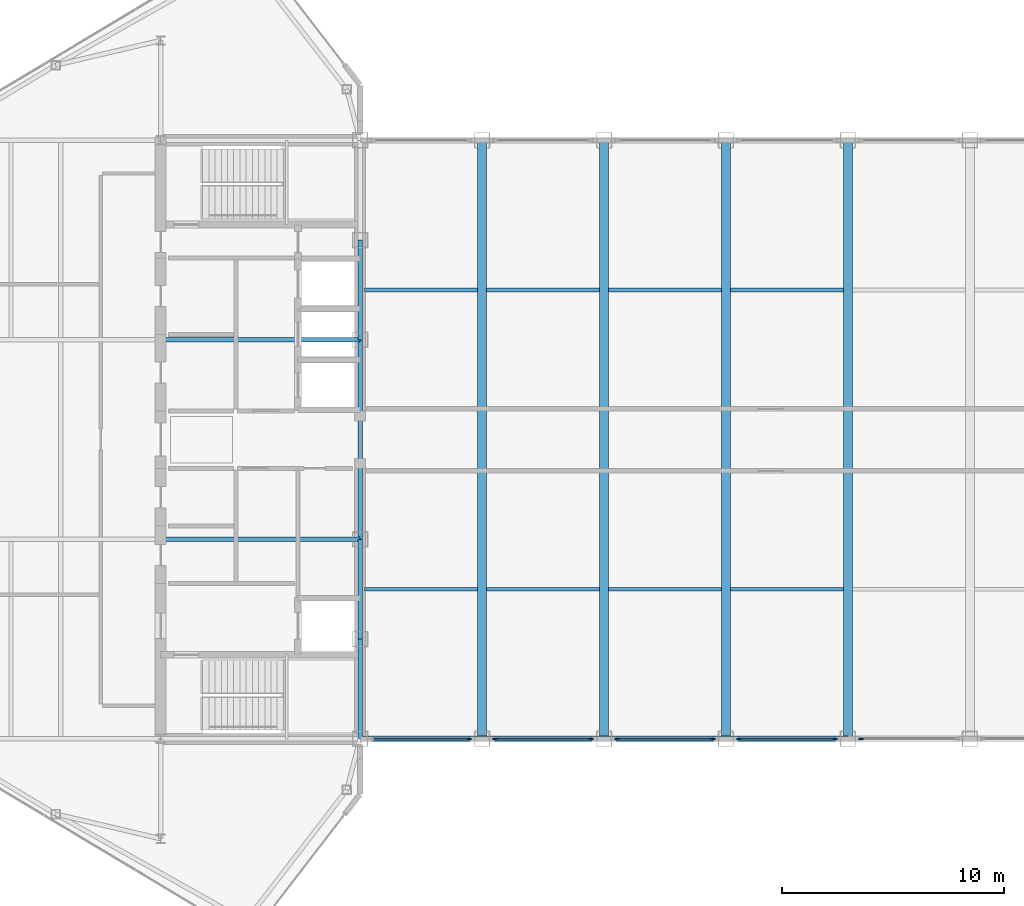
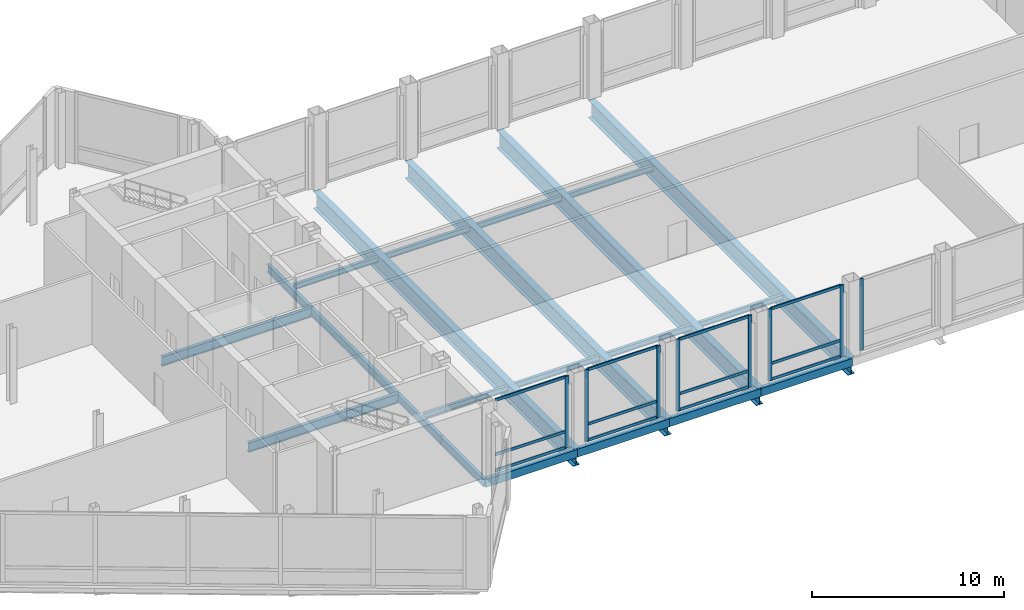
# One storey, part 10 of 29: 22 beams, 20 members, 5 elements without a shape of their own.
"""IFC4 building model written with IfcOpenShell, lengths in metres."""

from ifc_helpers import new_model, si_unit, direction, frame, origin, origin_2d, place, context, subcontext, project, spatial, rectangle, hollow_rectangle, i_section, extrude, source, transform, mapped, material, layer, layer_set, material_profile, profile_set, type_object, type_shapes, element, aggregate, save


model = new_model("IFC4")

# Units and contexts
model_context = context("Model", 3, precision=1e-05, world=origin(), true_north=direction((0.0, 1.0)))
body_context = subcontext(model_context, "Body", "Model", "MODEL_VIEW")
ifc_project = project(units=[si_unit("LENGTHUNIT", "METRE"), si_unit("AREAUNIT", "SQUARE_METRE"), si_unit("VOLUMEUNIT", "CUBIC_METRE"), si_unit("PLANEANGLEUNIT", "RADIAN"), si_unit("MASSUNIT", "GRAM", prefix="KILO")], contexts=[model_context])

# Site, building, storey
site_placement = place(None, origin())
site = spatial("IfcSite", under=ifc_project, at=site_placement, CompositionType="ELEMENT")
building_placement = place(site_placement, origin())
building = spatial("IfcBuilding", under=site, at=building_placement, Name="Seokmaru Belvedere", CompositionType="ELEMENT")
storey_placement = place(building_placement, frame((0.0, 0.0, 269.39990234375)))
storey = spatial("IfcBuildingStorey", under=building, at=storey_placement, Name="L71", CompositionType="ELEMENT", Elevation=269.39990234375)

# Beams
ifc_material_1 = material(Name="Steel SM355 (355 MPa)", Category="steel")
ifc_material_profile_1 = material_profile(ifc_material_1, i_section(OverallWidth=0.199951171875, OverallDepth=0.5, WebThickness=0.010009765625, FlangeThickness=0.01611328125, at=origin_2d()), Name="H-500x200x10x16")
ifc_profile_set_1 = profile_set([ifc_material_profile_1], Name="Steel SM355 (355 MPa)")
beam_type_1 = type_object("IfcBeamType", Name="Perimeter Spandrel Beam H-500", PredefinedType="SPANDREL", material=ifc_profile_set_1)
shared_shape_1 = source(origin(), body_context, "Body", "SweptSolid", [
    extrude(i_section(OverallWidth=0.199951171875, OverallDepth=0.5, WebThickness=0.010009765625, FlangeThickness=0.01611328125, at=origin_2d()), origin(), (0.0, 0.0, 1.0), 4.5),
])
for number, where, z_axis, x_axis, name in (
    (1, (-27.5, -13.5, -0.510009765625), (0.0, 1.0, 0.0), (-1.0, 0.0, 0.0), "L71 W Portal Spine Spandrel 1"),
    (2, (-27.5, -9.0, -0.510009765625), (0.0, 1.0, 0.0), (-1.0, 0.0, 0.0), "L71 W Portal Spine Spandrel 2"),
    (3, (-27.5, 4.5, -0.510009765625), (0.0, 1.0, 0.0), (-1.0, 0.0, 0.0), "L71 W Portal Spine Spandrel 4"),
):
    element("IfcBeam", number, at=place(storey_placement, frame(where, z_axis=z_axis, x_axis=x_axis)), inside=storey, type_object=beam_type_1, Name=name, PredefinedType="SPANDREL", context=body_context, shape_type="MappedRepresentation", body=[
        mapped(shared_shape_1, transform((0.0, 0.0, 0.0), scale=1.0)),
    ])
shared_shape_2 = source(origin(), body_context, "Body", "SweptSolid", [
    extrude(i_section(OverallWidth=0.199951171875, OverallDepth=0.5, WebThickness=0.010009765625, FlangeThickness=0.01611328125, at=origin_2d()), origin(), (0.0, 0.0, 1.0), 9.0),
])
type_shapes(beam_type_1, [shared_shape_1, shared_shape_2])
beam_placement = place(storey_placement, frame((-27.5, -4.5, -0.510009765625), z_axis=(0.0, 1.0, 0.0), x_axis=(-1.0, 0.0, 0.0)))
element("IfcBeam", 4, at=beam_placement, inside=storey, type_object=beam_type_1, Name="L71 W Portal Spine Spandrel 3", PredefinedType="SPANDREL", context=body_context, shape_type="MappedRepresentation", body=[
    mapped(shared_shape_2, transform((0.0, 0.0, 0.0), scale=1.0)),
])
ifc_material_profile_2 = material_profile(ifc_material_1, i_section(OverallWidth=0.199951171875, OverallDepth=0.60009765625, WebThickness=0.010986328125, FlangeThickness=0.01708984375, at=origin_2d()), Name="H-600x200x11x17")
ifc_profile_set_2 = profile_set([ifc_material_profile_2], Name="Steel SM355 (355 MPa)")
beam_type_2 = type_object("IfcBeamType", Name="Primary Floor Girder H-600", PredefinedType="BEAM", material=ifc_profile_set_2)
shared_shape_3 = source(origin(), body_context, "Body", "SweptSolid", [
    extrude(i_section(OverallWidth=0.199951171875, OverallDepth=0.60009765625, WebThickness=0.010986328125, FlangeThickness=0.01708984375, at=origin_2d()), origin(), (0.0, 0.0, 1.0), 9.0),
])
type_shapes(beam_type_2, [shared_shape_3])
for number, where, z_axis, x_axis, name in (
    (5, (-36.5, -4.5, -0.559814453125), (1.0, 0.0, 0.0), (0.0, 1.0, 0.0), "L71 W Core Tie Girder 2"),
    (6, (-36.5, 4.5, -0.559814453125), (1.0, 0.0, 0.0), (0.0, 1.0, 0.0), "L71 W Core Tie Girder 3"),
):
    element("IfcBeam", number, at=place(storey_placement, frame(where, z_axis=z_axis, x_axis=x_axis)), inside=storey, type_object=beam_type_2, Name=name, PredefinedType="BEAM", context=body_context, shape_type="MappedRepresentation", body=[
        mapped(shared_shape_3, transform((0.0, 0.0, 0.0), scale=1.0)),
    ])
ifc_material_profile_3 = material_profile(ifc_material_1, i_section(OverallWidth=0.39990234375, OverallDepth=1.10009765625, WebThickness=0.02001953125, FlangeThickness=0.033935546875, at=origin_2d()), Name="BH-1100x400x20x34")
ifc_profile_set_3 = profile_set([ifc_material_profile_3], Name="Steel SM355 (355 MPa)")
beam_type_3 = type_object("IfcBeamType", Name="Sky-Gate Transverse Girder BH-1100", PredefinedType="BEAM", material=ifc_profile_set_3)
shared_shape_4 = source(origin(), body_context, "Body", "SweptSolid", [
    extrude(i_section(OverallWidth=0.39990234375, OverallDepth=1.10009765625, WebThickness=0.02001953125, FlangeThickness=0.033935546875, at=origin_2d()), origin(), (0.0, 0.0, 1.0), 27.0),
])
type_shapes(beam_type_3, [shared_shape_4])
for number, where, z_axis, x_axis, name in (
    (7, (-22.0, -13.5, -0.809814453125), (0.0, 1.0, 0.0), (-1.0, 0.0, 0.0), "L71 Sky-Gate Transverse Girder 01"),
    (8, (-16.5, -13.5, -0.809814453125), (0.0, 1.0, 0.0), (-1.0, 0.0, 0.0), "L71 Sky-Gate Transverse Girder 02"),
    (9, (-11.0, -13.5, -0.809814453125), (0.0, 1.0, 0.0), (-1.0, 0.0, 0.0), "L71 Sky-Gate Transverse Girder 03"),
    (10, (-5.5, -13.5, -0.809814453125), (0.0, 1.0, 0.0), (-1.0, 0.0, 0.0), "L71 Sky-Gate Transverse Girder 04"),
):
    element("IfcBeam", number, at=place(storey_placement, frame(where, z_axis=z_axis, x_axis=x_axis)), inside=storey, type_object=beam_type_3, Name=name, PredefinedType="BEAM", context=body_context, shape_type="MappedRepresentation", body=[
        mapped(shared_shape_4, transform((0.0, 0.0, 0.0), scale=1.0)),
    ])
ifc_material_profile_4 = material_profile(ifc_material_1, i_section(OverallWidth=0.175048828125, OverallDepth=0.35009765625, WebThickness=0.007080078125, FlangeThickness=0.010986328125, at=origin_2d()), Name="H-350x175x7x11")
ifc_profile_set_4 = profile_set([ifc_material_profile_4], Name="Steel SM355 (355 MPa)")
beam_type_4 = type_object("IfcBeamType", Name="Secondary Floor Joist H-300", PredefinedType="JOIST", material=ifc_profile_set_4)
shared_shape_5 = source(origin(), body_context, "Body", "SweptSolid", [
    extrude(i_section(OverallWidth=0.175048828125, OverallDepth=0.35009765625, WebThickness=0.007080078125, FlangeThickness=0.010986328125, at=origin_2d()), origin(), (0.0, 0.0, 1.0), 5.08984375),
])
type_shapes(beam_type_4, [shared_shape_5])
for number, where, z_axis, x_axis, name in (
    (11, (-27.294921875, -6.75, -0.434814453125), (1.0, 0.0, 0.0), (0.0, 1.0, 0.0), "L71 Sky-Gate Secondary Joist S-01"),
    (12, (-21.794921875, -6.75, -0.434814453125), (1.0, 0.0, 0.0), (0.0, 1.0, 0.0), "L71 Sky-Gate Secondary Joist S-02"),
    (13, (-16.294921875, -6.75, -0.434814453125), (1.0, 0.0, 0.0), (0.0, 1.0, 0.0), "L71 Sky-Gate Secondary Joist S-03"),
    (14, (-10.794921875, -6.75, -0.434814453125), (1.0, 0.0, 0.0), (0.0, 1.0, 0.0), "L71 Sky-Gate Secondary Joist S-04"),
    (15, (-27.294921875, 6.75, -0.434814453125), (1.0, 0.0, 0.0), (0.0, 1.0, 0.0), "L71 Sky-Gate Secondary Joist N-01"),
    (16, (-21.794921875, 6.75, -0.434814453125), (1.0, 0.0, 0.0), (0.0, 1.0, 0.0), "L71 Sky-Gate Secondary Joist N-02"),
    (17, (-16.294921875, 6.75, -0.434814453125), (1.0, 0.0, 0.0), (0.0, 1.0, 0.0), "L71 Sky-Gate Secondary Joist N-03"),
    (18, (-10.794921875, 6.75, -0.434814453125), (1.0, 0.0, 0.0), (0.0, 1.0, 0.0), "L71 Sky-Gate Secondary Joist N-04"),
):
    element("IfcBeam", number, at=place(storey_placement, frame(where, z_axis=z_axis, x_axis=x_axis)), inside=storey, type_object=beam_type_4, Name=name, PredefinedType="JOIST", context=body_context, shape_type="MappedRepresentation", body=[
        mapped(shared_shape_5, transform((0.0, 0.0, 0.0), scale=1.0)),
    ])
ifc_material_profile_5 = material_profile(ifc_material_1, hollow_rectangle(XDim=0.25, YDim=0.5, WallThickness=0.013916015625, at=origin_2d()), Name="RHS-500x250x14")
ifc_profile_set_5 = profile_set([ifc_material_profile_5], Name="Steel SM355 (355 MPa)")
beam_type_5 = type_object("IfcBeamType", Name="Bridge Edge Spandrel RHS-500", PredefinedType="SPANDREL", material=ifc_profile_set_5)
shared_shape_6 = source(origin(), body_context, "Body", "SweptSolid", [
    extrude(hollow_rectangle(XDim=0.25, YDim=0.5, WallThickness=0.013916015625, at=origin_2d()), origin(), (0.0, 0.0, 1.0), 5.5),
])
type_shapes(beam_type_5, [shared_shape_6])
for number, where, z_axis, x_axis, name in (
    (19, (-27.5, -13.5, -0.510009765625), (1.0, 0.0, 0.0), (0.0, 1.0, 0.0), "L71 Sky-Gate Bridge Edge Girder S-01"),
    (20, (-22.0, -13.5, -0.510009765625), (1.0, 0.0, 0.0), (0.0, 1.0, 0.0), "L71 Sky-Gate Bridge Edge Girder S-02"),
    (21, (-16.5, -13.5, -0.510009765625), (1.0, 0.0, 0.0), (0.0, 1.0, 0.0), "L71 Sky-Gate Bridge Edge Girder S-03"),
    (22, (-11.0, -13.5, -0.510009765625), (1.0, 0.0, 0.0), (0.0, 1.0, 0.0), "L71 Sky-Gate Bridge Edge Girder S-04"),
):
    element("IfcBeam", number, at=place(storey_placement, frame(where, z_axis=z_axis, x_axis=x_axis)), inside=storey, type_object=beam_type_5, Name=name, PredefinedType="SPANDREL", context=body_context, shape_type="MappedRepresentation", body=[
        mapped(shared_shape_6, transform((0.0, 0.0, 0.0), scale=1.0)),
    ])

# Curtain wall, member
ifc_material_2 = material(Name="Bronze Triple Insulating Glass", Category="glass")
ifc_layer = layer(ifc_material_2, 0.219970703125)
ifc_layer_set = layer_set([ifc_layer], Name="Bronze Triple Insulating Glass")
curtain_wall_type = type_object("IfcCurtainWallType", Name="Sky-Gate Bridge Panorama Curtain Wall System CW-6", PredefinedType="NOTDEFINED", material=ifc_layer_set)
curtain_wall_1_placement = place(storey_placement, origin())
curtain_wall_1 = element("IfcCurtainWall", 23, at=curtain_wall_1_placement, inside=storey, type_object=curtain_wall_type, Name="L71 Curtain Wall BR_S01", PredefinedType="NOTDEFINED")
ifc_material_3 = material(Name="Anodised Bronze Aluminium", Category="aluminium")
ifc_material_profile_6 = material_profile(ifc_material_3, rectangle(XDim=0.080078125, YDim=0.219970703125, at=origin_2d()), Name="CW-M-80x220")
ifc_profile_set_6 = profile_set([ifc_material_profile_6], Name="Anodised Bronze Aluminium")
member_type_1 = type_object("IfcMemberType", Name="Bronze Unitised Mullion 80x220", PredefinedType="MULLION", material=ifc_profile_set_6)
shared_shape_7 = source(origin(), body_context, "Body", "SweptSolid", [
    extrude(rectangle(XDim=0.080078125, YDim=0.219970703125, at=origin_2d()), origin(), (0.0, 0.0, 1.0), 4.5400390625),
])
type_shapes(member_type_1, [shared_shape_7])
member_1_placement = place(storey_placement, frame((-22.590087890625, -13.5, 0.0), z_axis=(0.0, 0.0, 1.0), x_axis=(0.0, 1.0, 0.0)))
member_1 = element("IfcMember", 24, at=member_1_placement, type_object=member_type_1, Name="CW:L71:BR_S01 Mullion 2", PredefinedType="MULLION", context=body_context, shape_type="MappedRepresentation", body=[
    mapped(shared_shape_7, transform((0.0, 0.0, 0.0), scale=1.0)),
])

# Curtain wall, members
curtain_wall_2_placement = place(storey_placement, origin())
curtain_wall_2 = element("IfcCurtainWall", 25, at=curtain_wall_2_placement, inside=storey, type_object=curtain_wall_type, Name="L71 Curtain Wall BR_S02", PredefinedType="NOTDEFINED")
member_2_placement = place(storey_placement, frame((-21.409912109375, -13.5, 0.0), z_axis=(0.0, 0.0, 1.0), x_axis=(0.0, 1.0, 0.0)))
member_2 = element("IfcMember", 26, at=member_2_placement, type_object=member_type_1, Name="CW:L71:BR_S02 Mullion 1", PredefinedType="MULLION", context=body_context, shape_type="MappedRepresentation", body=[
    mapped(shared_shape_7, transform((0.0, 0.0, 0.0), scale=1.0)),
])
member_3_placement = place(storey_placement, frame((-17.090087890625, -13.5, 0.0), z_axis=(0.0, 0.0, 1.0), x_axis=(0.0, 1.0, 0.0)))
member_3 = element("IfcMember", 27, at=member_3_placement, type_object=member_type_1, Name="CW:L71:BR_S02 Mullion 2", PredefinedType="MULLION", context=body_context, shape_type="MappedRepresentation", body=[
    mapped(shared_shape_7, transform((0.0, 0.0, 0.0), scale=1.0)),
])

curtain_wall_3_placement = place(storey_placement, origin())
curtain_wall_3 = element("IfcCurtainWall", 28, at=curtain_wall_3_placement, inside=storey, type_object=curtain_wall_type, Name="L71 Curtain Wall BR_S03", PredefinedType="NOTDEFINED")
member_4_placement = place(storey_placement, frame((-15.909912109375, -13.5, 0.0), z_axis=(0.0, 0.0, 1.0), x_axis=(0.0, 1.0, 0.0)))
member_4 = element("IfcMember", 29, at=member_4_placement, type_object=member_type_1, Name="CW:L71:BR_S03 Mullion 1", PredefinedType="MULLION", context=body_context, shape_type="MappedRepresentation", body=[
    mapped(shared_shape_7, transform((0.0, 0.0, 0.0), scale=1.0)),
])
member_5_placement = place(storey_placement, frame((-11.590087890625, -13.5, 0.0), z_axis=(0.0, 0.0, 1.0), x_axis=(0.0, 1.0, 0.0)))
member_5 = element("IfcMember", 30, at=member_5_placement, type_object=member_type_1, Name="CW:L71:BR_S03 Mullion 2", PredefinedType="MULLION", context=body_context, shape_type="MappedRepresentation", body=[
    mapped(shared_shape_7, transform((0.0, 0.0, 0.0), scale=1.0)),
])

curtain_wall_4_placement = place(storey_placement, origin())
curtain_wall_4 = element("IfcCurtainWall", 31, at=curtain_wall_4_placement, inside=storey, type_object=curtain_wall_type, Name="L71 Curtain Wall BR_S04", PredefinedType="NOTDEFINED")
member_6_placement = place(storey_placement, frame((-10.409912109375, -13.5, 0.0), z_axis=(0.0, 0.0, 1.0), x_axis=(0.0, 1.0, 0.0)))
member_6 = element("IfcMember", 32, at=member_6_placement, type_object=member_type_1, Name="CW:L71:BR_S04 Mullion 1", PredefinedType="MULLION", context=body_context, shape_type="MappedRepresentation", body=[
    mapped(shared_shape_7, transform((0.0, 0.0, 0.0), scale=1.0)),
])
member_7_placement = place(storey_placement, frame((-6.090087890625, -13.5, 0.0), z_axis=(0.0, 0.0, 1.0), x_axis=(0.0, 1.0, 0.0)))
member_7 = element("IfcMember", 33, at=member_7_placement, type_object=member_type_1, Name="CW:L71:BR_S04 Mullion 2", PredefinedType="MULLION", context=body_context, shape_type="MappedRepresentation", body=[
    mapped(shared_shape_7, transform((0.0, 0.0, 0.0), scale=1.0)),
])

# Curtain wall, member
curtain_wall_5_placement = place(storey_placement, origin())
curtain_wall_5 = element("IfcCurtainWall", 34, at=curtain_wall_5_placement, inside=storey, type_object=curtain_wall_type, Name="L71 Curtain Wall BR_S05", PredefinedType="NOTDEFINED")
member_8_placement = place(storey_placement, frame((-4.909912109375, -13.5, 0.0), z_axis=(0.0, 0.0, 1.0), x_axis=(0.0, 1.0, 0.0)))
member_8 = element("IfcMember", 35, at=member_8_placement, type_object=member_type_1, Name="CW:L71:BR_S05 Mullion 1", PredefinedType="MULLION", context=body_context, shape_type="MappedRepresentation", body=[
    mapped(shared_shape_7, transform((0.0, 0.0, 0.0), scale=1.0)),
])
aggregate(curtain_wall_5, [member_8])

# Member
ifc_material_profile_7 = material_profile(ifc_material_3, rectangle(XDim=0.074951171875, YDim=0.179931640625, at=origin_2d()), Name="CW-T-75x180")
ifc_profile_set_7 = profile_set([ifc_material_profile_7], Name="Anodised Bronze Aluminium")
member_type_2 = type_object("IfcMemberType", Name="Bronze Unitised Transom 75x180", PredefinedType="USERDEFINED", material=ifc_profile_set_7)
shared_shape_8 = source(origin(), body_context, "Body", "SweptSolid", [
    extrude(rectangle(XDim=0.074951171875, YDim=0.179931640625, at=origin_2d()), origin(), (0.0, 0.0, 1.0), 4.240234375),
])
type_shapes(member_type_2, [shared_shape_8])
member_9_placement = place(storey_placement, frame((-26.8701171875, -13.5, 0.03759765625), z_axis=(1.0, 0.0, 0.0), x_axis=(0.0, 1.0, 0.0)))
member_9 = element("IfcMember", 36, at=member_9_placement, type_object=member_type_2, Name="CW:L71:BR_S01 Continuous Transom 1", ObjectType="TRANSOM", PredefinedType="USERDEFINED", context=body_context, shape_type="MappedRepresentation", body=[
    mapped(shared_shape_8, transform((0.0, 0.0, 0.0), scale=1.0)),
])

member_10_placement = place(storey_placement, frame((-26.8701171875, -13.5, 4.502685546875), z_axis=(1.0, 0.0, 0.0), x_axis=(0.0, 1.0, 0.0)))
member_10 = element("IfcMember", 37, at=member_10_placement, type_object=member_type_2, Name="CW:L71:BR_S01 Continuous Transom 2", ObjectType="TRANSOM", PredefinedType="USERDEFINED", context=body_context, shape_type="MappedRepresentation", body=[
    mapped(shared_shape_8, transform((0.0, 0.0, 0.0), scale=1.0)),
])

member_11_placement = place(storey_placement, frame((-26.8701171875, -13.5, 1.050048828125), z_axis=(1.0, 0.0, 0.0), x_axis=(0.0, 1.0, 0.0)))
member_11 = element("IfcMember", 38, at=member_11_placement, type_object=member_type_2, Name="CW:L71:BR_S01 Spandrel Transom 1", ObjectType="TRANSOM", PredefinedType="USERDEFINED", context=body_context, shape_type="MappedRepresentation", body=[
    mapped(shared_shape_8, transform((0.0, 0.0, 0.0), scale=1.0)),
])

aggregate(curtain_wall_1, [member_1, member_9, member_10, member_11])

member_12_placement = place(storey_placement, frame((-21.3701171875, -13.5, 0.03759765625), z_axis=(1.0, 0.0, 0.0), x_axis=(0.0, 1.0, 0.0)))
member_12 = element("IfcMember", 39, at=member_12_placement, type_object=member_type_2, Name="CW:L71:BR_S02 Continuous Transom 1", ObjectType="TRANSOM", PredefinedType="USERDEFINED", context=body_context, shape_type="MappedRepresentation", body=[
    mapped(shared_shape_8, transform((0.0, 0.0, 0.0), scale=1.0)),
])

member_13_placement = place(storey_placement, frame((-21.3701171875, -13.5, 4.502685546875), z_axis=(1.0, 0.0, 0.0), x_axis=(0.0, 1.0, 0.0)))
member_13 = element("IfcMember", 40, at=member_13_placement, type_object=member_type_2, Name="CW:L71:BR_S02 Continuous Transom 2", ObjectType="TRANSOM", PredefinedType="USERDEFINED", context=body_context, shape_type="MappedRepresentation", body=[
    mapped(shared_shape_8, transform((0.0, 0.0, 0.0), scale=1.0)),
])

member_14_placement = place(storey_placement, frame((-21.3701171875, -13.5, 1.050048828125), z_axis=(1.0, 0.0, 0.0), x_axis=(0.0, 1.0, 0.0)))
member_14 = element("IfcMember", 41, at=member_14_placement, type_object=member_type_2, Name="CW:L71:BR_S02 Spandrel Transom 1", ObjectType="TRANSOM", PredefinedType="USERDEFINED", context=body_context, shape_type="MappedRepresentation", body=[
    mapped(shared_shape_8, transform((0.0, 0.0, 0.0), scale=1.0)),
])

aggregate(curtain_wall_2, [member_2, member_3, member_12, member_13, member_14])

member_15_placement = place(storey_placement, frame((-15.8701171875, -13.5, 0.03759765625), z_axis=(1.0, 0.0, 0.0), x_axis=(0.0, 1.0, 0.0)))
member_15 = element("IfcMember", 42, at=member_15_placement, type_object=member_type_2, Name="CW:L71:BR_S03 Continuous Transom 1", ObjectType="TRANSOM", PredefinedType="USERDEFINED", context=body_context, shape_type="MappedRepresentation", body=[
    mapped(shared_shape_8, transform((0.0, 0.0, 0.0), scale=1.0)),
])

member_16_placement = place(storey_placement, frame((-15.8701171875, -13.5, 4.502685546875), z_axis=(1.0, 0.0, 0.0), x_axis=(0.0, 1.0, 0.0)))
member_16 = element("IfcMember", 43, at=member_16_placement, type_object=member_type_2, Name="CW:L71:BR_S03 Continuous Transom 2", ObjectType="TRANSOM", PredefinedType="USERDEFINED", context=body_context, shape_type="MappedRepresentation", body=[
    mapped(shared_shape_8, transform((0.0, 0.0, 0.0), scale=1.0)),
])

member_17_placement = place(storey_placement, frame((-15.8701171875, -13.5, 1.050048828125), z_axis=(1.0, 0.0, 0.0), x_axis=(0.0, 1.0, 0.0)))
member_17 = element("IfcMember", 44, at=member_17_placement, type_object=member_type_2, Name="CW:L71:BR_S03 Spandrel Transom 1", ObjectType="TRANSOM", PredefinedType="USERDEFINED", context=body_context, shape_type="MappedRepresentation", body=[
    mapped(shared_shape_8, transform((0.0, 0.0, 0.0), scale=1.0)),
])

aggregate(curtain_wall_3, [member_4, member_5, member_15, member_16, member_17])

member_18_placement = place(storey_placement, frame((-10.3701171875, -13.5, 0.03759765625), z_axis=(1.0, 0.0, 0.0), x_axis=(0.0, 1.0, 0.0)))
member_18 = element("IfcMember", 45, at=member_18_placement, type_object=member_type_2, Name="CW:L71:BR_S04 Continuous Transom 1", ObjectType="TRANSOM", PredefinedType="USERDEFINED", context=body_context, shape_type="MappedRepresentation", body=[
    mapped(shared_shape_8, transform((0.0, 0.0, 0.0), scale=1.0)),
])

member_19_placement = place(storey_placement, frame((-10.3701171875, -13.5, 4.502685546875), z_axis=(1.0, 0.0, 0.0), x_axis=(0.0, 1.0, 0.0)))
member_19 = element("IfcMember", 46, at=member_19_placement, type_object=member_type_2, Name="CW:L71:BR_S04 Continuous Transom 2", ObjectType="TRANSOM", PredefinedType="USERDEFINED", context=body_context, shape_type="MappedRepresentation", body=[
    mapped(shared_shape_8, transform((0.0, 0.0, 0.0), scale=1.0)),
])

member_20_placement = place(storey_placement, frame((-10.3701171875, -13.5, 1.050048828125), z_axis=(1.0, 0.0, 0.0), x_axis=(0.0, 1.0, 0.0)))
member_20 = element("IfcMember", 47, at=member_20_placement, type_object=member_type_2, Name="CW:L71:BR_S04 Spandrel Transom 1", ObjectType="TRANSOM", PredefinedType="USERDEFINED", context=body_context, shape_type="MappedRepresentation", body=[
    mapped(shared_shape_8, transform((0.0, 0.0, 0.0), scale=1.0)),
])

aggregate(curtain_wall_4, [member_6, member_7, member_18, member_19, member_20])

save(model, "model.ifc")
